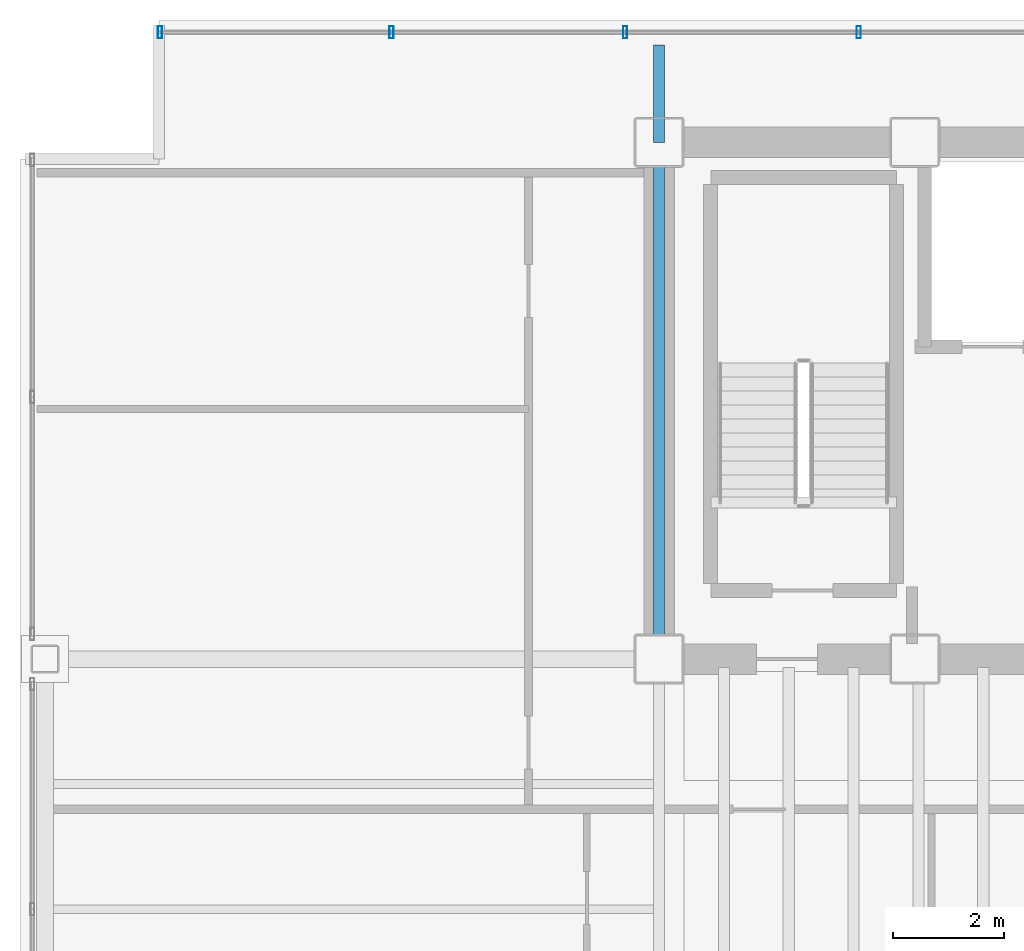
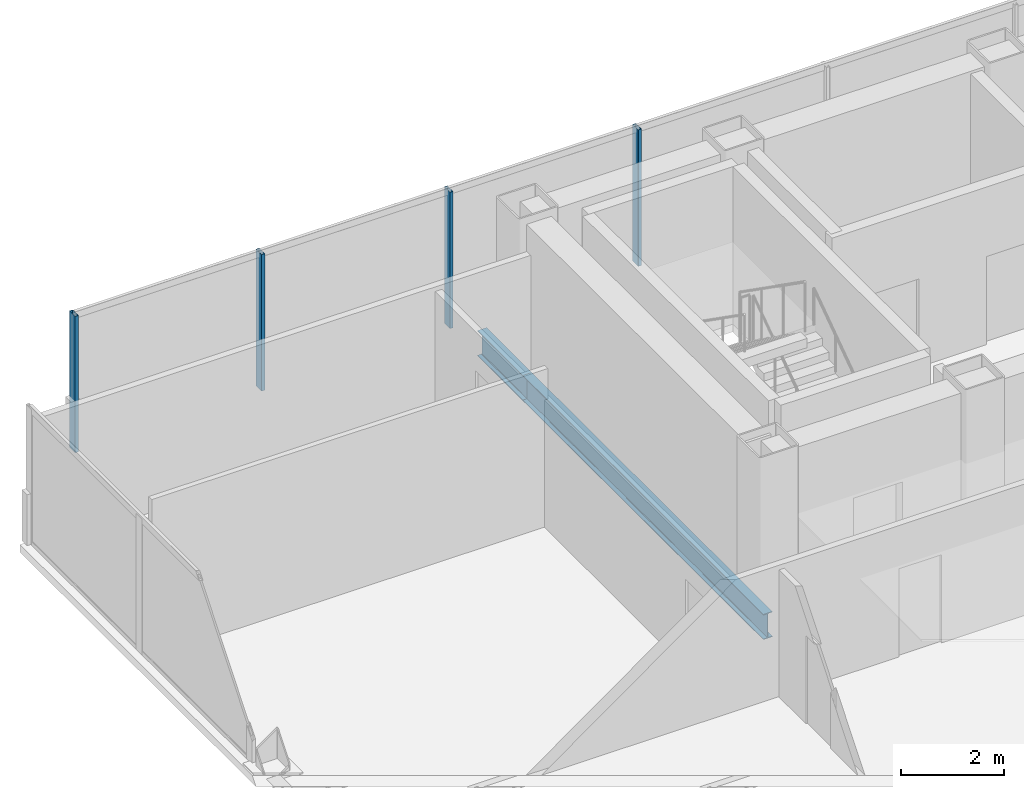
# One storey, part 9 of 22: 4 members, 2 beams, 1 element without a shape of its own.
"""IFC4 building model written with IfcOpenShell, lengths in metres."""

from ifc_helpers import new_model, si_unit, direction, frame, origin, origin_2d, place, context, subcontext, project, spatial, hollow_rectangle, i_section, extrude, material, material_profile, profile_set, type_object, element, aggregate, save


model = new_model("IFC4")

# Units and contexts
model_context = context("Model", 3, precision=1e-05, world=origin(), true_north=direction((0.0, 1.0)))
body_context = subcontext(model_context, "Body", "Model", "MODEL_VIEW")
ifc_project = project(units=[si_unit("LENGTHUNIT", "METRE"), si_unit("AREAUNIT", "SQUARE_METRE"), si_unit("VOLUMEUNIT", "CUBIC_METRE"), si_unit("PLANEANGLEUNIT", "RADIAN"), si_unit("MASSUNIT", "GRAM", prefix="KILO")], contexts=[model_context])

# Site, building, storey
site_placement = place(None, origin())
site = spatial("IfcSite", under=ifc_project, at=site_placement, CompositionType="ELEMENT")
building_placement = place(site_placement, origin())
building = spatial("IfcBuilding", under=site, at=building_placement, Name="Noeulbin Bourse Tower", CompositionType="ELEMENT")
storey_placement = place(building_placement, frame((0.0, 0.0, 130.5)))
storey = spatial("IfcBuildingStorey", under=building, at=storey_placement, Name="L32", CompositionType="ELEMENT", Elevation=130.5)

# Beams
ifc_material_1 = material(Name="Steel S355", Category="steel")
ifc_material_profile_1 = material_profile(ifc_material_1, i_section(OverallWidth=0.199951171875, OverallDepth=0.60009765625, WebThickness=0.010986328125, FlangeThickness=0.01708984375, FilletRadius=0.02197265625, at=origin_2d()), Name="H-600x200x11x17", Category="LoadBearing")
ifc_profile_set_1 = profile_set([ifc_material_profile_1], Name="Steel S355")
beam_type = type_object("IfcBeamType", Name="BM-GRD-600", PredefinedType="USERDEFINED", material=ifc_profile_set_1)
beam_1_placement = place(storey_placement, frame((13.5, 29.0, -0.47998046875), z_axis=(0.0, 1.0, 0.0), x_axis=(-1.0, 0.0, 0.0)))
element("IfcBeam", 1, at=beam_1_placement, inside=storey, type_object=beam_type, Name="Tower Primary Girder NS L32-1.3", ObjectType="GIRDER", PredefinedType="USERDEFINED", context=body_context, shape_type="SweptSolid", body=[
    extrude(i_section(OverallWidth=0.199951171875, OverallDepth=0.60009765625, WebThickness=0.010986328125, FlangeThickness=0.01708984375, FilletRadius=0.02197265625, at=origin_2d()), origin(), (0.0, 0.0, 1.0), 9.300048828125),
])
beam_2_placement = place(storey_placement, frame((13.5, 38.300048828125, -0.47998046875), z_axis=(0.0, 1.0, 0.0), x_axis=(-1.0, 0.0, 0.0)))
element("IfcBeam", 2, at=beam_2_placement, inside=storey, type_object=beam_type, Name="Tower Primary Girder NS L32-1.4", ObjectType="GIRDER", PredefinedType="USERDEFINED", context=body_context, shape_type="SweptSolid", body=[
    extrude(i_section(OverallWidth=0.199951171875, OverallDepth=0.60009765625, WebThickness=0.010986328125, FlangeThickness=0.01708984375, FilletRadius=0.02197265625, at=origin_2d()), origin(), (0.0, 0.0, 1.0), 1.75),
])

# Curtain wall, members
ifc_material_2 = material(Name="Dark Tinted Triple Glazing", Category="glass")
curtain_wall_type = type_object("IfcCurtainWallType", Name="CW-SYS-3", PredefinedType="NOTDEFINED", material=ifc_material_2)
curtain_wall_placement = place(storey_placement, origin())
curtain_wall = element("IfcCurtainWall", 3, at=curtain_wall_placement, inside=storey, type_object=curtain_wall_type, Name="Unitised Curtain Wall CW-L32-N", PredefinedType="NOTDEFINED")
ifc_material_3 = material(Name="Anodised Aluminium 6063-T6", Category="aluminium")
ifc_material_profile_2 = material_profile(ifc_material_3, hollow_rectangle(XDim=0.074951171875, YDim=0.219970703125, WallThickness=0.0048828125, InnerFilletRadius=0.00244140625, OuterFilletRadius=0.0048828125, at=origin_2d()), Name="ALU-MULL-75x220x5", Category="LoadBearing")
ifc_profile_set_2 = profile_set([ifc_material_profile_2], Name="Anodised Aluminium 6063-T6")
member_type = type_object("IfcMemberType", Name="CW-SYS-3-MUL", PredefinedType="MULLION", material=ifc_profile_set_2)
member_1_placement = place(storey_placement, frame((4.52001953125, 40.280029296875, -0.02001953125), z_axis=(0.0, 0.0, 1.0), x_axis=(1.0, 0.0, 0.0)))
member_1 = element("IfcMember", 4, at=member_1_placement, type_object=member_type, Name="Curtain Wall Mullion CW-L32-N-M00", PredefinedType="MULLION", context=body_context, shape_type="SweptSolid", body=[
    extrude(hollow_rectangle(XDim=0.074951171875, YDim=0.219970703125, WallThickness=0.0048828125, InnerFilletRadius=0.00244140625, OuterFilletRadius=0.0048828125, at=origin_2d()), origin(), (0.0, 0.0, 1.0), 3.219970703125),
])
member_2_placement = place(storey_placement, frame((8.68408203125, 40.280029296875, -0.02001953125), z_axis=(0.0, 0.0, 1.0), x_axis=(1.0, 0.0, 0.0)))
member_2 = element("IfcMember", 5, at=member_2_placement, type_object=member_type, Name="Curtain Wall Mullion CW-L32-N-M01", PredefinedType="MULLION", context=body_context, shape_type="SweptSolid", body=[
    extrude(hollow_rectangle(XDim=0.074951171875, YDim=0.219970703125, WallThickness=0.0048828125, InnerFilletRadius=0.00244140625, OuterFilletRadius=0.0048828125, at=origin_2d()), origin(), (0.0, 0.0, 1.0), 3.219970703125),
])
member_3_placement = place(storey_placement, frame((12.887939453125, 40.280029296875, -0.02001953125), z_axis=(0.0, 0.0, 1.0), x_axis=(1.0, 0.0, 0.0)))
member_3 = element("IfcMember", 6, at=member_3_placement, type_object=member_type, Name="Curtain Wall Mullion CW-L32-N-M02", PredefinedType="MULLION", context=body_context, shape_type="SweptSolid", body=[
    extrude(hollow_rectangle(XDim=0.074951171875, YDim=0.219970703125, WallThickness=0.0048828125, InnerFilletRadius=0.00244140625, OuterFilletRadius=0.0048828125, at=origin_2d()), origin(), (0.0, 0.0, 1.0), 3.219970703125),
])
member_4_placement = place(storey_placement, frame((17.092041015625, 40.280029296875, -0.02001953125), z_axis=(0.0, 0.0, 1.0), x_axis=(1.0, 0.0, 0.0)))
member_4 = element("IfcMember", 7, at=member_4_placement, type_object=member_type, Name="Curtain Wall Mullion CW-L32-N-M03", PredefinedType="MULLION", context=body_context, shape_type="SweptSolid", body=[
    extrude(hollow_rectangle(XDim=0.074951171875, YDim=0.219970703125, WallThickness=0.0048828125, InnerFilletRadius=0.00244140625, OuterFilletRadius=0.0048828125, at=origin_2d()), origin(), (0.0, 0.0, 1.0), 3.219970703125),
])
aggregate(curtain_wall, [member_1, member_2, member_3, member_4])

save(model, "model.ifc")
